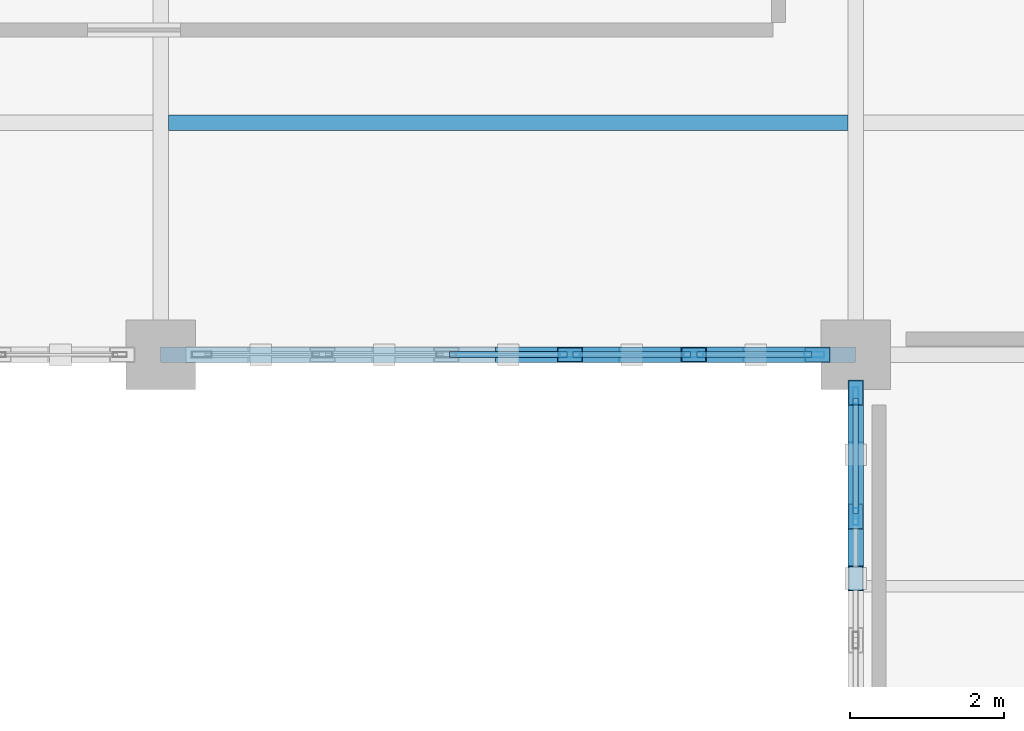
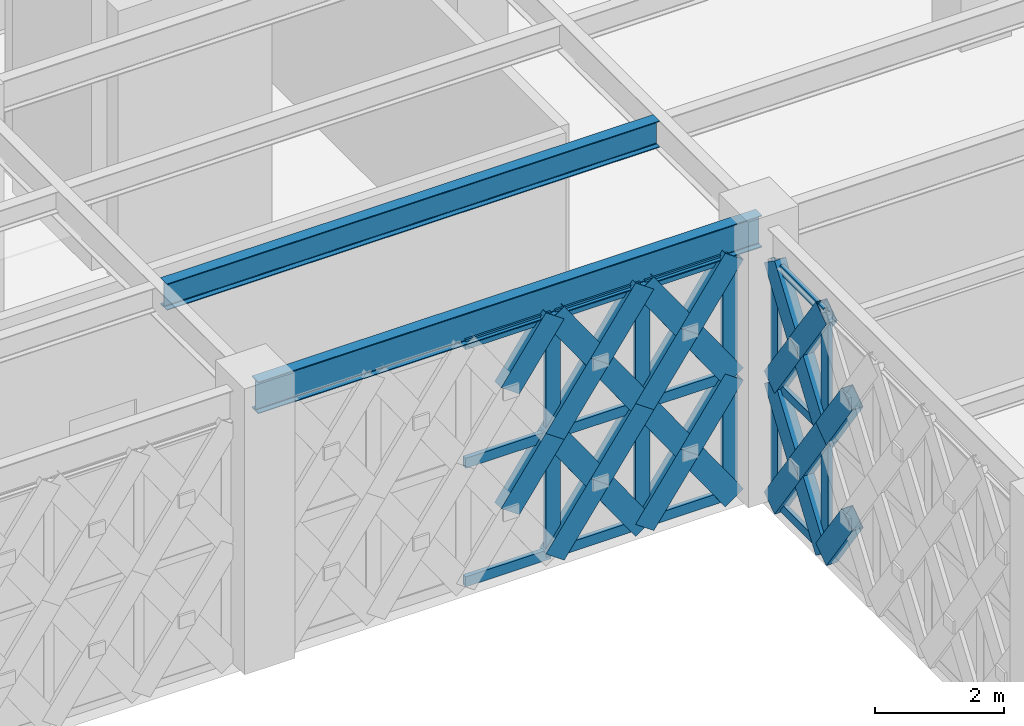
# One storey, part 13 of 155: 39 members, 2 beams, 2 elements without a shape of their own.
"""IFC4 building model written with IfcOpenShell, lengths in metres."""

from ifc_helpers import new_model, si_unit, direction, frame, origin, origin_2d, place, context, subcontext, project, spatial, hollow_rectangle, i_section, extrude, material, material_profile, profile_set, type_object, element, aggregate, save


model = new_model("IFC4")

# Units and contexts
model_context = context("Model", 3, precision=1e-05, world=origin(), true_north=direction((0.0, 1.0)))
body_context = subcontext(model_context, "Body", "Model", "MODEL_VIEW")
ifc_project = project(units=[si_unit("LENGTHUNIT", "METRE"), si_unit("AREAUNIT", "SQUARE_METRE"), si_unit("VOLUMEUNIT", "CUBIC_METRE"), si_unit("PLANEANGLEUNIT", "RADIAN"), si_unit("MASSUNIT", "GRAM", prefix="KILO")], contexts=[model_context])

# Site, building, storey
site_placement = place(None, origin())
site = spatial("IfcSite", under=ifc_project, at=site_placement, CompositionType="ELEMENT")
building_placement = place(site_placement, origin())
building = spatial("IfcBuilding", under=site, at=building_placement, Name="Haizhuo Lancet Aquarium", CompositionType="ELEMENT")
storey_placement = place(building_placement, frame((0.0, 0.0, 10.800048828125)))
storey = spatial("IfcBuildingStorey", under=building, at=storey_placement, Name="L02", CompositionType="ELEMENT", Elevation=10.800048828125)

# Beam
ifc_material_1 = material(Name="Steel S355", Category="steel")
ifc_material_profile_1 = material_profile(ifc_material_1, i_section(OverallWidth=0.199951171875, OverallDepth=0.60009765625, WebThickness=0.010986328125, FlangeThickness=0.01708984375, FilletRadius=0.02197265625, at=origin_2d()), Name="HN 600x200x11x17")
ifc_profile_set_1 = profile_set([ifc_material_profile_1], Name="Steel S355")
beam_type_1 = type_object("IfcBeamType", Name="BM-ST-HN600", PredefinedType="BEAM", material=ifc_profile_set_1)
beam_1_placement = place(storey_placement, frame((-63.0, -27.0, 4.85986328125), z_axis=(1.0, 0.0, 0.0), x_axis=(0.0, 1.0, 0.0)))
element("IfcBeam", 1, at=beam_1_placement, inside=storey, type_object=beam_type_1, Name="L02 V6 primary girder BM-L02-V6-010", PredefinedType="BEAM", context=body_context, shape_type="SweptSolid", body=[
    extrude(i_section(OverallWidth=0.199951171875, OverallDepth=0.60009765625, WebThickness=0.010986328125, FlangeThickness=0.01708984375, FilletRadius=0.02197265625, at=origin_2d()), origin(), (0.0, 0.0, 1.0), 9.0),
])

# Curtain wall, members
ifc_material_2 = material(Name="Aluminium 6063-T6", Category="aluminium")
curtain_wall_type = type_object("IfcCurtainWallType", Name="CWD-8010x4560", PredefinedType="NOTDEFINED", material=ifc_material_2)
curtain_wall_1_placement = place(storey_placement, origin())
curtain_wall_1 = element("IfcCurtainWall", 2, at=curtain_wall_1_placement, inside=storey, type_object=curtain_wall_type, Name="L02 curtain wall CW-V6-L02-224", PredefinedType="NOTDEFINED")
ifc_material_profile_2 = material_profile(ifc_material_2, hollow_rectangle(XDim=0.074951171875, YDim=0.219970703125, WallThickness=0.0048828125, at=origin_2d()), Name="ALU-M 75x220x5")
ifc_profile_set_2 = profile_set([ifc_material_profile_2], Name="Aluminium 6063-T6")
member_type_1 = type_object("IfcMemberType", Name="CW-MUL-2", PredefinedType="MULLION", material=ifc_profile_set_2)
member_1_placement = place(storey_placement, frame((-54.0, -29.096923828125, 0.0), z_axis=(0.0, 0.0, 1.0), x_axis=(-1.0, 0.0, 0.0)))
member_1 = element("IfcMember", 3, at=member_1_placement, type_object=member_type_1, Name="CWD-80x45 mullion 5", PredefinedType="MULLION", context=body_context, shape_type="SweptSolid", body=[
    extrude(hollow_rectangle(XDim=0.074951171875, YDim=0.219970703125, WallThickness=0.0048828125, at=origin_2d()), origin(), (0.0, 0.0, 1.0), 4.56005859375),
])
member_2_placement = place(storey_placement, frame((-54.0, -27.531982421875, 0.0), z_axis=(0.0, 0.0, 1.0), x_axis=(-1.0, 0.0, 0.0)))
member_2 = element("IfcMember", 4, at=member_2_placement, type_object=member_type_1, Name="CWD-80x45 mullion 6", PredefinedType="MULLION", context=body_context, shape_type="SweptSolid", body=[
    extrude(hollow_rectangle(XDim=0.074951171875, YDim=0.219970703125, WallThickness=0.0048828125, at=origin_2d()), origin(), (0.0, 0.0, 1.0), 4.56005859375),
])

curtain_wall_2_placement = place(storey_placement, origin())
curtain_wall_2 = element("IfcCurtainWall", 5, at=curtain_wall_2_placement, inside=storey, type_object=curtain_wall_type, Name="L02 curtain wall CW-V6-L02-225", PredefinedType="NOTDEFINED")
ifc_material_profile_3 = material_profile(ifc_material_2, hollow_rectangle(XDim=0.080078125, YDim=0.260009765625, WallThickness=0.0048828125, at=origin_2d()), Name="ALU-M 80x260x5")
ifc_profile_set_3 = profile_set([ifc_material_profile_3], Name="Aluminium 6063-T6")
member_type_2 = type_object("IfcMemberType", Name="CW-MUL-3", PredefinedType="MULLION", material=ifc_profile_set_3)
member_3_placement = place(storey_placement, frame((-54.534912109375, -27.0, 0.0), z_axis=(0.0, 0.0, 1.0), x_axis=(0.0, -1.0, 0.0)))
member_3 = element("IfcMember", 6, at=member_3_placement, type_object=member_type_2, Name="CWD-80x45 mullion 1", PredefinedType="MULLION", context=body_context, shape_type="SweptSolid", body=[
    extrude(hollow_rectangle(XDim=0.080078125, YDim=0.260009765625, WallThickness=0.0048828125, at=origin_2d()), origin(), (0.0, 0.0, 1.0), 4.56005859375),
])
member_4_placement = place(storey_placement, frame((-56.096923828125, -27.0, 0.0), z_axis=(0.0, 0.0, 1.0), x_axis=(0.0, -1.0, 0.0)))
member_4 = element("IfcMember", 7, at=member_4_placement, type_object=member_type_2, Name="CWD-80x45 mullion 2", PredefinedType="MULLION", context=body_context, shape_type="SweptSolid", body=[
    extrude(hollow_rectangle(XDim=0.080078125, YDim=0.260009765625, WallThickness=0.0048828125, at=origin_2d()), origin(), (0.0, 0.0, 1.0), 4.56005859375),
])
member_5_placement = place(storey_placement, frame((-57.698974609375, -27.0, 0.0), z_axis=(0.0, 0.0, 1.0), x_axis=(0.0, -1.0, 0.0)))
member_5 = element("IfcMember", 8, at=member_5_placement, type_object=member_type_2, Name="CWD-80x45 mullion 3", PredefinedType="MULLION", context=body_context, shape_type="SweptSolid", body=[
    extrude(hollow_rectangle(XDim=0.080078125, YDim=0.260009765625, WallThickness=0.0048828125, at=origin_2d()), origin(), (0.0, 0.0, 1.0), 4.56005859375),
])

# Member
ifc_material_profile_4 = material_profile(ifc_material_2, hollow_rectangle(XDim=0.074951171875, YDim=0.159912109375, WallThickness=0.00390625, at=origin_2d()), Name="ALU-T 75x160x4")
ifc_profile_set_4 = profile_set([ifc_material_profile_4], Name="Aluminium 6063-T6")
member_type_3 = type_object("IfcMemberType", Name="CW-TRN-2", PredefinedType="NOTDEFINED", material=ifc_profile_set_4)
member_6_placement = place(storey_placement, frame((-54.0, -29.05908203125, 0.037841796875), z_axis=(0.0, 1.0, 0.0), x_axis=(-1.0, 0.0, 0.0)))
member_6 = element("IfcMember", 9, at=member_6_placement, type_object=member_type_3, Name="CWD-80x45 transom 5.1", ObjectType="TRANSOM", PredefinedType="USERDEFINED", context=body_context, shape_type="SweptSolid", body=[
    extrude(hollow_rectangle(XDim=0.074951171875, YDim=0.159912109375, WallThickness=0.00390625, at=origin_2d()), origin(), (0.0, 0.0, 1.0), 1.489013671875),
])

member_7_placement = place(storey_placement, frame((-54.0, -29.05908203125, 2.280029296875), z_axis=(0.0, 1.0, 0.0), x_axis=(-1.0, 0.0, 0.0)))
member_7 = element("IfcMember", 10, at=member_7_placement, type_object=member_type_3, Name="CWD-80x45 transom 5.2", ObjectType="TRANSOM", PredefinedType="USERDEFINED", context=body_context, shape_type="SweptSolid", body=[
    extrude(hollow_rectangle(XDim=0.074951171875, YDim=0.159912109375, WallThickness=0.00390625, at=origin_2d()), origin(), (0.0, 0.0, 1.0), 1.489013671875),
])

member_8_placement = place(storey_placement, frame((-54.0, -29.05908203125, 4.52197265625), z_axis=(0.0, 1.0, 0.0), x_axis=(-1.0, 0.0, 0.0)))
member_8 = element("IfcMember", 11, at=member_8_placement, type_object=member_type_3, Name="CWD-80x45 transom 5.3", ObjectType="TRANSOM", PredefinedType="USERDEFINED", context=body_context, shape_type="SweptSolid", body=[
    extrude(hollow_rectangle(XDim=0.074951171875, YDim=0.159912109375, WallThickness=0.00390625, at=origin_2d()), origin(), (0.0, 0.0, 1.0), 1.489013671875),
])

aggregate(curtain_wall_1, [member_1, member_2, member_6, member_7, member_8])

ifc_material_profile_5 = material_profile(ifc_material_2, hollow_rectangle(XDim=0.080078125, YDim=0.18994140625, WallThickness=0.0048828125, at=origin_2d()), Name="ALU-T 80x190x5")
ifc_profile_set_5 = profile_set([ifc_material_profile_5], Name="Aluminium 6063-T6")
member_type_4 = type_object("IfcMemberType", Name="CW-TRN-3", PredefinedType="NOTDEFINED", material=ifc_profile_set_5)
member_9_placement = place(storey_placement, frame((-54.574951171875, -27.0, 0.0400390625), z_axis=(-1.0, 0.0, 0.0), x_axis=(0.0, -1.0, 0.0)))
member_9 = element("IfcMember", 12, at=member_9_placement, type_object=member_type_4, Name="CWD-80x45 transom 1.1", ObjectType="TRANSOM", PredefinedType="USERDEFINED", context=body_context, shape_type="SweptSolid", body=[
    extrude(hollow_rectangle(XDim=0.080078125, YDim=0.18994140625, WallThickness=0.0048828125, at=origin_2d()), origin(), (0.0, 0.0, 1.0), 1.48193359375),
])

member_10_placement = place(storey_placement, frame((-54.574951171875, -27.0, 2.280029296875), z_axis=(-1.0, 0.0, 0.0), x_axis=(0.0, -1.0, 0.0)))
member_10 = element("IfcMember", 13, at=member_10_placement, type_object=member_type_4, Name="CWD-80x45 transom 1.2", ObjectType="TRANSOM", PredefinedType="USERDEFINED", context=body_context, shape_type="SweptSolid", body=[
    extrude(hollow_rectangle(XDim=0.080078125, YDim=0.18994140625, WallThickness=0.0048828125, at=origin_2d()), origin(), (0.0, 0.0, 1.0), 1.48193359375),
])

member_11_placement = place(storey_placement, frame((-54.574951171875, -27.0, 4.52001953125), z_axis=(-1.0, 0.0, 0.0), x_axis=(0.0, -1.0, 0.0)))
member_11 = element("IfcMember", 14, at=member_11_placement, type_object=member_type_4, Name="CWD-80x45 transom 1.3", ObjectType="TRANSOM", PredefinedType="USERDEFINED", context=body_context, shape_type="SweptSolid", body=[
    extrude(hollow_rectangle(XDim=0.080078125, YDim=0.18994140625, WallThickness=0.0048828125, at=origin_2d()), origin(), (0.0, 0.0, 1.0), 1.48193359375),
])

member_12_placement = place(storey_placement, frame((-56.136962890625, -27.0, 0.0400390625), z_axis=(-1.0, 0.0, 0.0), x_axis=(0.0, -1.0, 0.0)))
member_12 = element("IfcMember", 15, at=member_12_placement, type_object=member_type_4, Name="CWD-80x45 transom 2.1", ObjectType="TRANSOM", PredefinedType="USERDEFINED", context=body_context, shape_type="SweptSolid", body=[
    extrude(hollow_rectangle(XDim=0.080078125, YDim=0.18994140625, WallThickness=0.0048828125, at=origin_2d()), origin(), (0.0, 0.0, 1.0), 1.52197265625),
])

member_13_placement = place(storey_placement, frame((-56.136962890625, -27.0, 2.280029296875), z_axis=(-1.0, 0.0, 0.0), x_axis=(0.0, -1.0, 0.0)))
member_13 = element("IfcMember", 16, at=member_13_placement, type_object=member_type_4, Name="CWD-80x45 transom 2.2", ObjectType="TRANSOM", PredefinedType="USERDEFINED", context=body_context, shape_type="SweptSolid", body=[
    extrude(hollow_rectangle(XDim=0.080078125, YDim=0.18994140625, WallThickness=0.0048828125, at=origin_2d()), origin(), (0.0, 0.0, 1.0), 1.52197265625),
])

member_14_placement = place(storey_placement, frame((-56.136962890625, -27.0, 4.52001953125), z_axis=(-1.0, 0.0, 0.0), x_axis=(0.0, -1.0, 0.0)))
member_14 = element("IfcMember", 17, at=member_14_placement, type_object=member_type_4, Name="CWD-80x45 transom 2.3", ObjectType="TRANSOM", PredefinedType="USERDEFINED", context=body_context, shape_type="SweptSolid", body=[
    extrude(hollow_rectangle(XDim=0.080078125, YDim=0.18994140625, WallThickness=0.0048828125, at=origin_2d()), origin(), (0.0, 0.0, 1.0), 1.52197265625),
])

member_15_placement = place(storey_placement, frame((-57.739013671875, -27.0, 0.0400390625), z_axis=(-1.0, 0.0, 0.0), x_axis=(0.0, -1.0, 0.0)))
member_15 = element("IfcMember", 18, at=member_15_placement, type_object=member_type_4, Name="CWD-80x45 transom 3.1", ObjectType="TRANSOM", PredefinedType="USERDEFINED", context=body_context, shape_type="SweptSolid", body=[
    extrude(hollow_rectangle(XDim=0.080078125, YDim=0.18994140625, WallThickness=0.0048828125, at=origin_2d()), origin(), (0.0, 0.0, 1.0), 1.52197265625),
])

member_16_placement = place(storey_placement, frame((-57.739013671875, -27.0, 2.280029296875), z_axis=(-1.0, 0.0, 0.0), x_axis=(0.0, -1.0, 0.0)))
member_16 = element("IfcMember", 19, at=member_16_placement, type_object=member_type_4, Name="CWD-80x45 transom 3.2", ObjectType="TRANSOM", PredefinedType="USERDEFINED", context=body_context, shape_type="SweptSolid", body=[
    extrude(hollow_rectangle(XDim=0.080078125, YDim=0.18994140625, WallThickness=0.0048828125, at=origin_2d()), origin(), (0.0, 0.0, 1.0), 1.52197265625),
])

member_17_placement = place(storey_placement, frame((-57.739013671875, -27.0, 4.52001953125), z_axis=(-1.0, 0.0, 0.0), x_axis=(0.0, -1.0, 0.0)))
member_17 = element("IfcMember", 20, at=member_17_placement, type_object=member_type_4, Name="CWD-80x45 transom 3.3", ObjectType="TRANSOM", PredefinedType="USERDEFINED", context=body_context, shape_type="SweptSolid", body=[
    extrude(hollow_rectangle(XDim=0.080078125, YDim=0.18994140625, WallThickness=0.0048828125, at=origin_2d()), origin(), (0.0, 0.0, 1.0), 1.52197265625),
])

aggregate(curtain_wall_2, [member_3, member_4, member_5, member_9, member_10, member_11, member_12, member_13, member_14, member_15, member_16, member_17])

# Beam
ifc_material_profile_6 = material_profile(ifc_material_1, i_section(OverallWidth=0.199951171875, OverallDepth=0.5, WebThickness=0.010009765625, FlangeThickness=0.01611328125, FilletRadius=0.02001953125, at=origin_2d()), Name="HN 500x200x10x16")
ifc_profile_set_6 = profile_set([ifc_material_profile_6], Name="Steel S355")
beam_type_2 = type_object("IfcBeamType", Name="JST-ST-HN500", PredefinedType="JOIST", material=ifc_profile_set_6)
beam_2_placement = place(storey_placement, frame((-62.89990234375, -24.0, 4.909912109375), z_axis=(1.0, 0.0, 0.0), x_axis=(0.0, 1.0, 0.0)))
element("IfcBeam", 21, at=beam_2_placement, inside=storey, type_object=beam_type_2, Name="L02 V6 secondary floor joist 7", PredefinedType="JOIST", context=body_context, shape_type="SweptSolid", body=[
    extrude(i_section(OverallWidth=0.199951171875, OverallDepth=0.5, WebThickness=0.010009765625, FlangeThickness=0.01611328125, FilletRadius=0.02001953125, at=origin_2d()), origin(), (0.0, 0.0, 1.0), 8.7998046875),
])

# Members
ifc_material_profile_7 = material_profile(ifc_material_1, hollow_rectangle(XDim=0.199951171875, YDim=0.39990234375, WallThickness=0.011962890625, at=origin_2d()), Name="RHS 200x400x12")
ifc_profile_set_7 = profile_set([ifc_material_profile_7], Name="Steel S355")
member_type_5 = type_object("IfcMemberType", Name="MEM-LB-RHS200x400", PredefinedType="BRACE", material=ifc_profile_set_7)
for number, where, z_axis, x_axis, name in (
    (22, (-54.0, -29.096923828125, 0.0), (0.0, -0.574955028356, 0.818185012921), (1.0, 0.0, 0.0), "Gothic lancet split diagonal brace CW-V6-L02-224 7B1"),
    (23, (-54.0, -29.096923828125, 2.280029296875), (0.0, -0.574955028356, 0.818185012921), (1.0, 0.0, 0.0), "Gothic lancet split diagonal brace CW-V6-L02-224 8B1"),
):
    element("IfcMember", number, at=place(storey_placement, frame(where, z_axis=z_axis, x_axis=x_axis)), inside=storey, type_object=member_type_5, Name=name, PredefinedType="BRACE", context=body_context, shape_type="SweptSolid", body=[
        extrude(hollow_rectangle(XDim=0.199951171875, YDim=0.39990234375, WallThickness=0.011962890625, at=origin_2d()), origin(), (0.0, 0.0, 1.0), 1.393310546875),
    ])
member_18_placement = place(storey_placement, frame((-54.0, -29.096923828125, 0.0), z_axis=(0.0, 0.574855154156, 0.81825518742), x_axis=(-1.0, 0.0, 0.0)))
element("IfcMember", 24, at=member_18_placement, inside=storey, type_object=member_type_5, Name="Gothic lancet continuous diagonal brace CW-V6-L02-224 9A", PredefinedType="BRACE", context=body_context, shape_type="SweptSolid", body=[
    extrude(hollow_rectangle(XDim=0.199951171875, YDim=0.39990234375, WallThickness=0.011962890625, at=origin_2d()), origin(), (0.0, 0.0, 1.0), 2.786376953125),
])
member_19_placement = place(storey_placement, frame((-54.0, -27.4951171875, 0.0), z_axis=(0.0, -0.5748377018, 0.818267448081), x_axis=(1.0, 0.0, 0.0)))
element("IfcMember", 25, at=member_19_placement, inside=storey, type_object=member_type_5, Name="Gothic lancet split diagonal brace CW-V6-L02-224 9B1", PredefinedType="BRACE", context=body_context, shape_type="SweptSolid", body=[
    extrude(hollow_rectangle(XDim=0.199951171875, YDim=0.39990234375, WallThickness=0.011962890625, at=origin_2d()), origin(), (0.0, 0.0, 1.0), 1.39306640625),
])
member_20_placement = place(storey_placement, frame((-54.0, -28.2958984375, 1.139892578125), z_axis=(0.0, -0.574872601991, 0.81824292938), x_axis=(1.0, 0.0, 0.0)))
element("IfcMember", 26, at=member_20_placement, inside=storey, type_object=member_type_5, Name="Gothic lancet split diagonal brace CW-V6-L02-224 9B2", PredefinedType="BRACE", context=body_context, shape_type="SweptSolid", body=[
    extrude(hollow_rectangle(XDim=0.199951171875, YDim=0.39990234375, WallThickness=0.011962890625, at=origin_2d()), origin(), (0.0, 0.0, 1.0), 1.393310546875),
])
member_21_placement = place(storey_placement, frame((-54.0, -29.096923828125, 2.280029296875), z_axis=(0.0, 0.574855154156, 0.81825518742), x_axis=(-1.0, 0.0, 0.0)))
element("IfcMember", 27, at=member_21_placement, inside=storey, type_object=member_type_5, Name="Gothic lancet continuous diagonal brace CW-V6-L02-224 10A", PredefinedType="BRACE", context=body_context, shape_type="SweptSolid", body=[
    extrude(hollow_rectangle(XDim=0.199951171875, YDim=0.39990234375, WallThickness=0.011962890625, at=origin_2d()), origin(), (0.0, 0.0, 1.0), 2.786376953125),
])
member_22_placement = place(storey_placement, frame((-54.0, -27.4951171875, 2.280029296875), z_axis=(0.0, -0.5748377018, 0.818267448081), x_axis=(1.0, 0.0, 0.0)))
element("IfcMember", 28, at=member_22_placement, inside=storey, type_object=member_type_5, Name="Gothic lancet split diagonal brace CW-V6-L02-224 10B1", PredefinedType="BRACE", context=body_context, shape_type="SweptSolid", body=[
    extrude(hollow_rectangle(XDim=0.199951171875, YDim=0.39990234375, WallThickness=0.011962890625, at=origin_2d()), origin(), (0.0, 0.0, 1.0), 1.39306640625),
])
member_23_placement = place(storey_placement, frame((-54.0, -28.2958984375, 3.419921875), z_axis=(0.0, -0.574872601991, 0.81824292938), x_axis=(1.0, 0.0, 0.0)))
element("IfcMember", 29, at=member_23_placement, inside=storey, type_object=member_type_5, Name="Gothic lancet split diagonal brace CW-V6-L02-224 10B2", PredefinedType="BRACE", context=body_context, shape_type="SweptSolid", body=[
    extrude(hollow_rectangle(XDim=0.199951171875, YDim=0.39990234375, WallThickness=0.011962890625, at=origin_2d()), origin(), (0.0, 0.0, 1.0), 1.393310546875),
])
member_24_placement = place(storey_placement, frame((-54.4951171875, -27.0, 0.0), z_axis=(-0.574855154156, 0.0, 0.81825518742), x_axis=(0.0, -1.0, 0.0)))
element("IfcMember", 30, at=member_24_placement, inside=storey, type_object=member_type_5, Name="Gothic lancet continuous diagonal brace CW-V6-L02-225 1A", PredefinedType="BRACE", context=body_context, shape_type="SweptSolid", body=[
    extrude(hollow_rectangle(XDim=0.199951171875, YDim=0.39990234375, WallThickness=0.011962890625, at=origin_2d()), origin(), (0.0, 0.0, 1.0), 2.786376953125),
])
for number, where, z_axis, x_axis, name in (
    (31, (-56.096923828125, -27.0, 0.0), (0.574955028356, 0.0, 0.818185012921), (0.0, 1.0, 0.0), "Gothic lancet split diagonal brace CW-V6-L02-225 1B1"),
    (32, (-55.2958984375, -27.0, 1.139892578125), (0.574755275652, 0.0, 0.818325346736), (0.0, 1.0, 0.0), "Gothic lancet split diagonal brace CW-V6-L02-225 1B2"),
):
    element("IfcMember", number, at=place(storey_placement, frame(where, z_axis=z_axis, x_axis=x_axis)), inside=storey, type_object=member_type_5, Name=name, PredefinedType="BRACE", context=body_context, shape_type="SweptSolid", body=[
        extrude(hollow_rectangle(XDim=0.199951171875, YDim=0.39990234375, WallThickness=0.011962890625, at=origin_2d()), origin(), (0.0, 0.0, 1.0), 1.393310546875),
    ])
member_25_placement = place(storey_placement, frame((-54.4951171875, -27.0, 2.280029296875), z_axis=(-0.574855154156, 0.0, 0.81825518742), x_axis=(0.0, -1.0, 0.0)))
element("IfcMember", 33, at=member_25_placement, inside=storey, type_object=member_type_5, Name="Gothic lancet continuous diagonal brace CW-V6-L02-225 2A", PredefinedType="BRACE", context=body_context, shape_type="SweptSolid", body=[
    extrude(hollow_rectangle(XDim=0.199951171875, YDim=0.39990234375, WallThickness=0.011962890625, at=origin_2d()), origin(), (0.0, 0.0, 1.0), 2.786376953125),
])
for number, where, z_axis, x_axis, name in (
    (34, (-56.096923828125, -27.0, 2.280029296875), (0.574955028356, 0.0, 0.818185012921), (0.0, 1.0, 0.0), "Gothic lancet split diagonal brace CW-V6-L02-225 2B1"),
    (35, (-55.2958984375, -27.0, 3.419921875), (0.574755275652, 0.0, 0.818325346736), (0.0, 1.0, 0.0), "Gothic lancet split diagonal brace CW-V6-L02-225 2B2"),
):
    element("IfcMember", number, at=place(storey_placement, frame(where, z_axis=z_axis, x_axis=x_axis)), inside=storey, type_object=member_type_5, Name=name, PredefinedType="BRACE", context=body_context, shape_type="SweptSolid", body=[
        extrude(hollow_rectangle(XDim=0.199951171875, YDim=0.39990234375, WallThickness=0.011962890625, at=origin_2d()), origin(), (0.0, 0.0, 1.0), 1.393310546875),
    ])
member_26_placement = place(storey_placement, frame((-56.096923828125, -27.0, 0.0), z_axis=(-0.574913812948, 0.0, 0.818213974264), x_axis=(0.0, -1.0, 0.0)))
element("IfcMember", 36, at=member_26_placement, inside=storey, type_object=member_type_5, Name="Gothic lancet continuous diagonal brace CW-V6-L02-225 3A", PredefinedType="BRACE", context=body_context, shape_type="SweptSolid", body=[
    extrude(hollow_rectangle(XDim=0.199951171875, YDim=0.39990234375, WallThickness=0.011962890625, at=origin_2d()), origin(), (0.0, 0.0, 1.0), 2.78662109375),
])
for number, where, z_axis, x_axis, name in (
    (37, (-57.698974609375, -27.0, 0.0), (0.574955028356, 0.0, 0.818185012921), (0.0, 1.0, 0.0), "Gothic lancet split diagonal brace CW-V6-L02-225 3B1"),
    (38, (-56.89794921875, -27.0, 1.139892578125), (0.574872601991, 0.0, 0.81824292938), (0.0, 1.0, 0.0), "Gothic lancet split diagonal brace CW-V6-L02-225 3B2"),
):
    element("IfcMember", number, at=place(storey_placement, frame(where, z_axis=z_axis, x_axis=x_axis)), inside=storey, type_object=member_type_5, Name=name, PredefinedType="BRACE", context=body_context, shape_type="SweptSolid", body=[
        extrude(hollow_rectangle(XDim=0.199951171875, YDim=0.39990234375, WallThickness=0.011962890625, at=origin_2d()), origin(), (0.0, 0.0, 1.0), 1.393310546875),
    ])
member_27_placement = place(storey_placement, frame((-56.096923828125, -27.0, 2.280029296875), z_axis=(-0.574913812948, 0.0, 0.818213974264), x_axis=(0.0, -1.0, 0.0)))
element("IfcMember", 39, at=member_27_placement, inside=storey, type_object=member_type_5, Name="Gothic lancet continuous diagonal brace CW-V6-L02-225 4A", PredefinedType="BRACE", context=body_context, shape_type="SweptSolid", body=[
    extrude(hollow_rectangle(XDim=0.199951171875, YDim=0.39990234375, WallThickness=0.011962890625, at=origin_2d()), origin(), (0.0, 0.0, 1.0), 2.78662109375),
])
for number, where, z_axis, x_axis, name in (
    (40, (-57.698974609375, -27.0, 2.280029296875), (0.574955028356, 0.0, 0.818185012921), (0.0, 1.0, 0.0), "Gothic lancet split diagonal brace CW-V6-L02-225 4B1"),
    (41, (-56.89794921875, -27.0, 3.419921875), (0.574872601991, 0.0, 0.81824292938), (0.0, 1.0, 0.0), "Gothic lancet split diagonal brace CW-V6-L02-225 4B2"),
    (42, (-58.5, -27.0, 1.139892578125), (0.574872601991, 0.0, 0.81824292938), (0.0, 1.0, 0.0), "Gothic lancet split diagonal brace CW-V6-L02-225 5B2"),
    (43, (-58.5, -27.0, 3.419921875), (0.574872601991, 0.0, 0.81824292938), (0.0, 1.0, 0.0), "Gothic lancet split diagonal brace CW-V6-L02-225 6B2"),
):
    element("IfcMember", number, at=place(storey_placement, frame(where, z_axis=z_axis, x_axis=x_axis)), inside=storey, type_object=member_type_5, Name=name, PredefinedType="BRACE", context=body_context, shape_type="SweptSolid", body=[
        extrude(hollow_rectangle(XDim=0.199951171875, YDim=0.39990234375, WallThickness=0.011962890625, at=origin_2d()), origin(), (0.0, 0.0, 1.0), 1.393310546875),
    ])

save(model, "model.ifc")
